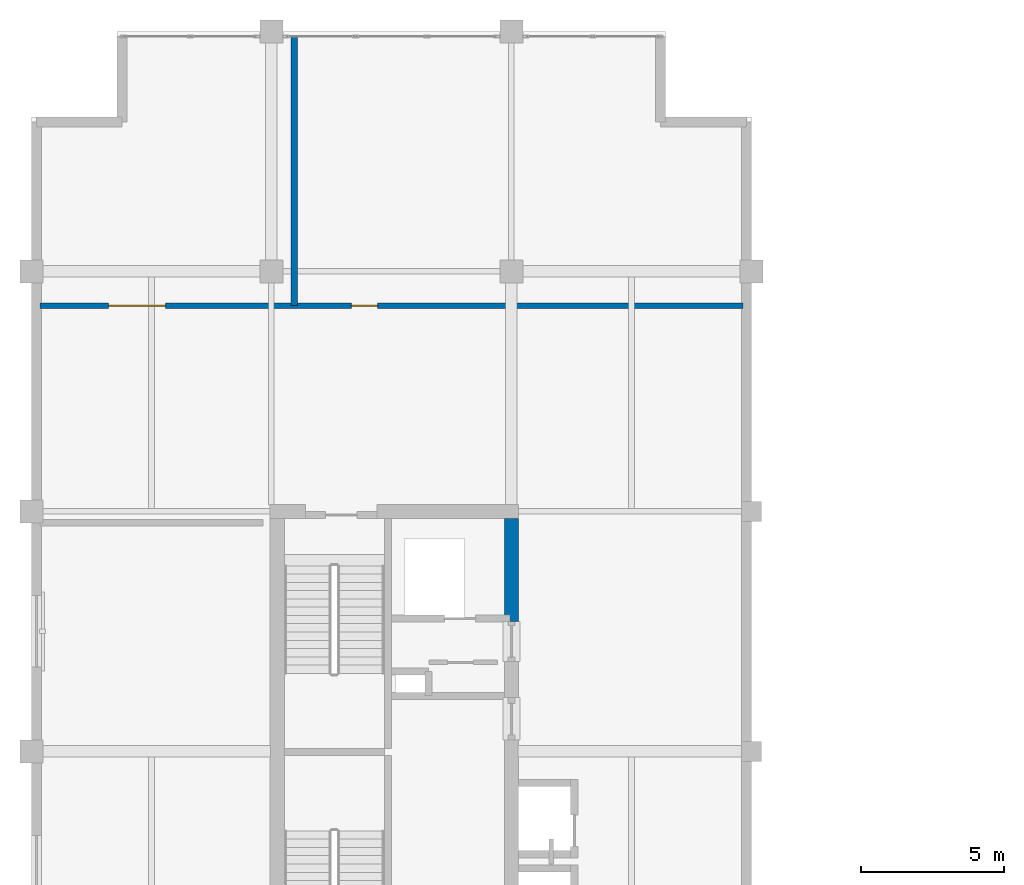
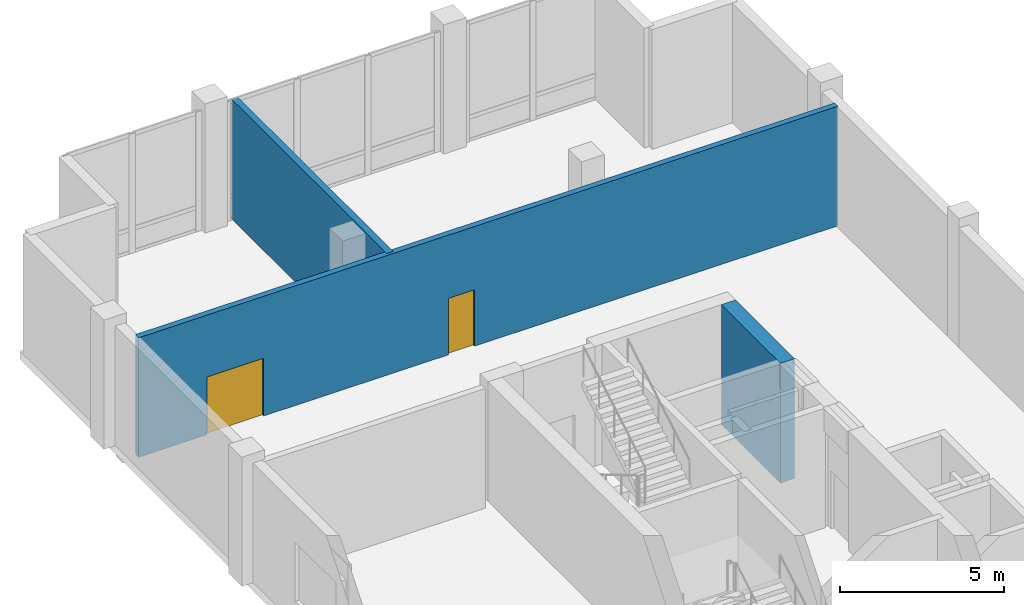
# One storey, part 13 of 18: 3 walls, 2 doors, 2 openings.
"""IFC4 building model written with IfcOpenShell, lengths in metres."""

from ifc_helpers import new_model, si_unit, direction, frame, frame_2d, origin, place, context, subcontext, project, spatial, rectangle, extrude, material, layer, layer_set, type_object, element, fill, save


model = new_model("IFC4")

# Units and contexts
model_context = context("Model", 3, precision=1e-05, world=origin(), true_north=direction((0.0, 1.0)))
body_context = subcontext(model_context, "Body", "Model", "MODEL_VIEW")
ifc_project = project(units=[si_unit("LENGTHUNIT", "METRE"), si_unit("AREAUNIT", "SQUARE_METRE"), si_unit("VOLUMEUNIT", "CUBIC_METRE"), si_unit("PLANEANGLEUNIT", "RADIAN"), si_unit("MASSUNIT", "GRAM", prefix="KILO")], contexts=[model_context])

# Site, building, storey
site_placement = place(None, origin())
site = spatial("IfcSite", under=ifc_project, at=site_placement, CompositionType="ELEMENT")
building_placement = place(site_placement, origin())
building = spatial("IfcBuilding", under=site, at=building_placement, Name="Koriwani Terraces Tower", CompositionType="ELEMENT")
storey_placement = place(building_placement, frame((0.0, 0.0, 363.800048828125)))
storey = spatial("IfcBuildingStorey", under=building, at=storey_placement, Name="L90", CompositionType="ELEMENT", Elevation=363.800048828125)

# Wall
ifc_material_1 = material(Name="Concrete C50/60", Category="concrete")
ifc_layer_1 = layer(ifc_material_1, 0.5, Name="Concrete C50/60")
ifc_layer_set_1 = layer_set([ifc_layer_1], Name="Concrete C50/60")
wall_type_1 = type_object("IfcWallType", Name="WALL_CORE_RC_500", PredefinedType="SHEAR", material=ifc_layer_set_1)
wall_1_placement = place(storey_placement, frame((25.199951171875, 54.949951171875, 0.0), z_axis=(0.0, 0.0, 1.0), x_axis=(0.0, 1.0, 0.0)))
element("IfcWall", 1, at=wall_1_placement, inside=storey, type_object=wall_type_1, Name="L90 West Split Core Shear Wall E3", PredefinedType="SHEAR", context=body_context, shape_type="SweptSolid", body=[
    extrude(rectangle(XDim=3.60009765625, YDim=0.5, at=frame_2d((1.800048828125, 0.0))), origin(), (0.0, 0.0, 1.0), 4.449951171875),
])

# Wall, openings, doors
ifc_material_2 = material(Name="Autoclaved Cellular Concrete Blockwork", Category="masonry")
ifc_layer_2 = layer(ifc_material_2, 0.199951171875, Name="Autoclaved Cellular Concrete Blockwork")
ifc_layer_set_2 = layer_set([ifc_layer_2], Name="Autoclaved Cellular Concrete Blockwork")
wall_type_2 = type_object("IfcWallType", Name="WALL_CORRIDOR_200", PredefinedType="PARTITIONING", material=ifc_layer_set_2)
wall_2_placement = place(storey_placement, frame((8.699951171875, 66.0, 0.0), z_axis=(0.0, 0.0, 1.0), x_axis=(1.0, 0.0, 0.0)))
wall_2 = element("IfcWall", 2, at=wall_2_placement, inside=storey, type_object=wall_type_2, Name="L90 Interior Wall WSKY-N1-L90", PredefinedType="PARTITIONING", context=body_context, shape_type="SweptSolid", body=[
    extrude(rectangle(XDim=24.60009765625, YDim=0.199951171875, at=frame_2d((12.300048828125, 0.0))), origin(), (0.0, 0.0, 1.0), 4.449951171875),
])
opening_1_placement = place(wall_2_placement, frame((2.39990234375, 0.0, 0.0)))
opening_1 = element("IfcOpeningElement", 3, at=opening_1_placement, cuts=wall_2, Name="Opening D-02", PredefinedType="OPENING", context=body_context, shape_type="SweptSolid", body=[
    extrude(rectangle(XDim=2.0, YDim=2.14990234375, at=frame_2d((1.0, 1.074951171875))), frame((0.0, 0.10986328125, 0.0), z_axis=(0.0, -1.0, 0.0), x_axis=(1.0, 0.0, 0.0)), (0.0, 0.0, 1.0), 0.219970703125),
])
opening_2_placement = place(wall_2_placement, frame((10.89990234375, 0.0, 0.0)))
opening_2 = element("IfcOpeningElement", 4, at=opening_2_placement, cuts=wall_2, Name="Opening D-06", PredefinedType="OPENING", context=body_context, shape_type="SweptSolid", body=[
    extrude(rectangle(XDim=0.919921875, YDim=2.10009765625, at=frame_2d((0.4599609375, 1.050048828125))), frame((0.0, 0.10986328125, 0.0), z_axis=(0.0, -1.0, 0.0), x_axis=(1.0, 0.0, 0.0)), (0.0, 0.0, 1.0), 0.219970703125),
])
ifc_material_3 = material(Name="Anodised Bronze Aluminium", Category="aluminium")
door_type_1 = type_object("IfcDoorType", Name="DOOR_ENTRANCE_DOUBLE_2000X2400", OperationType="NOTDEFINED", PredefinedType="DOOR", material=ifc_material_3)
door_1_placement = place(opening_1_placement, origin())
door_1 = element("IfcDoor", 5, at=door_1_placement, inside=storey, type_object=door_type_1, Name="L90 North Wellness Studio Door", OperationType="SINGLE_SWING_RIGHT", OverallHeight=2.14990234375, OverallWidth=2.0, PredefinedType="DOOR", context=body_context, shape_type="SweptSolid", body=[
    extrude(rectangle(XDim=2.0, YDim=2.14990234375, at=frame_2d((1.0, 1.074951171875))), frame((0.0, 0.02490234375, 0.0), z_axis=(0.0, -1.0, 0.0), x_axis=(1.0, 0.0, 0.0)), (0.0, 0.0, 1.0), 0.050048828125),
])
fill(opening_1, door_1)
ifc_material_4 = material(Name="Architectural Oak Fire Door", Category="wood")
door_type_2 = type_object("IfcDoorType", Name="DOOR_ROOM_INT_920X2100", OperationType="NOTDEFINED", PredefinedType="DOOR", material=ifc_material_4)
door_2_placement = place(opening_2_placement, origin())
door_2 = element("IfcDoor", 6, at=door_2_placement, inside=storey, type_object=door_type_2, Name="L90 North Observatory Salon Door", OperationType="SINGLE_SWING_LEFT", OverallHeight=2.10009765625, OverallWidth=0.919921875, PredefinedType="DOOR", context=body_context, shape_type="SweptSolid", body=[
    extrude(rectangle(XDim=0.919921875, YDim=2.10009765625, at=frame_2d((0.4599609375, 1.050048828125))), frame((0.0, 0.02490234375, 0.0), z_axis=(0.0, -1.0, 0.0), x_axis=(1.0, 0.0, 0.0)), (0.0, 0.0, 1.0), 0.050048828125),
])
fill(opening_2, door_2)

# Wall
ifc_layer_3 = layer(ifc_material_2, 0.219970703125, Name="Autoclaved Cellular Concrete Blockwork")
ifc_layer_set_3 = layer_set([ifc_layer_3], Name="Autoclaved Cellular Concrete Blockwork")
wall_type_3 = type_object("IfcWallType", Name="WALL_DEMISING_220", PredefinedType="PARTITIONING", material=ifc_layer_set_3)
wall_3_placement = place(storey_placement, frame((17.60009765625, 66.0, 0.0), z_axis=(0.0, 0.0, 1.0), x_axis=(0.0, 1.0, 0.0)))
element("IfcWall", 7, at=wall_3_placement, inside=storey, type_object=wall_type_3, Name="L90 Interior Wall WSKY-NDIV-L90", PredefinedType="PARTITIONING", context=body_context, shape_type="SweptSolid", body=[
    extrude(rectangle(XDim=9.449951171875, YDim=0.219970703125, at=frame_2d((4.72509765625, 0.0))), origin(), (0.0, 0.0, 1.0), 4.449951171875),
])

save(model, "model.ifc")
